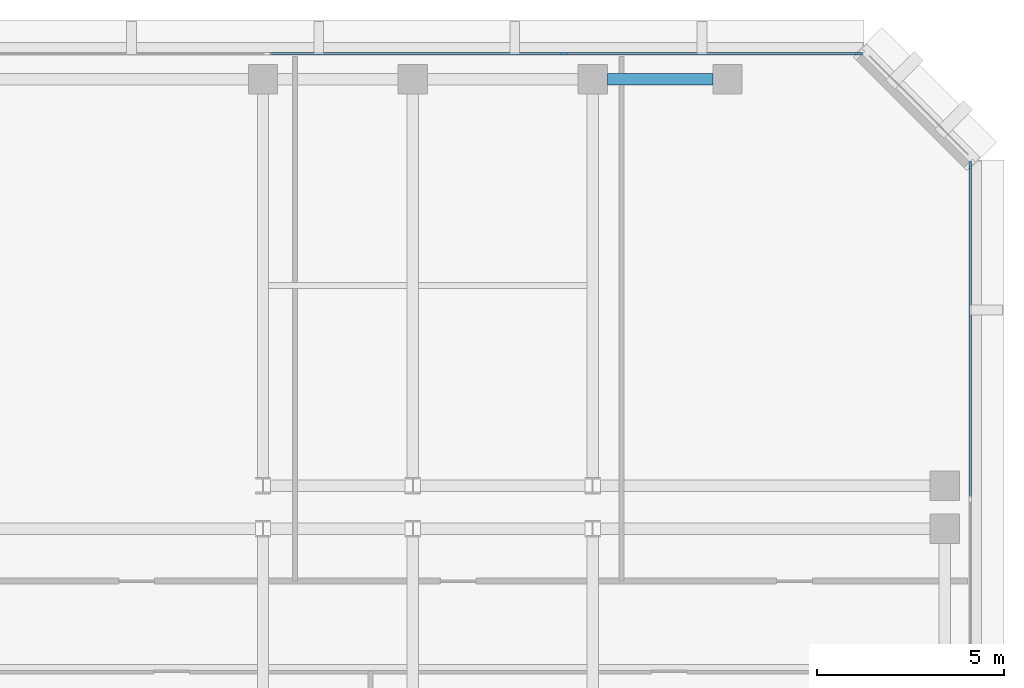
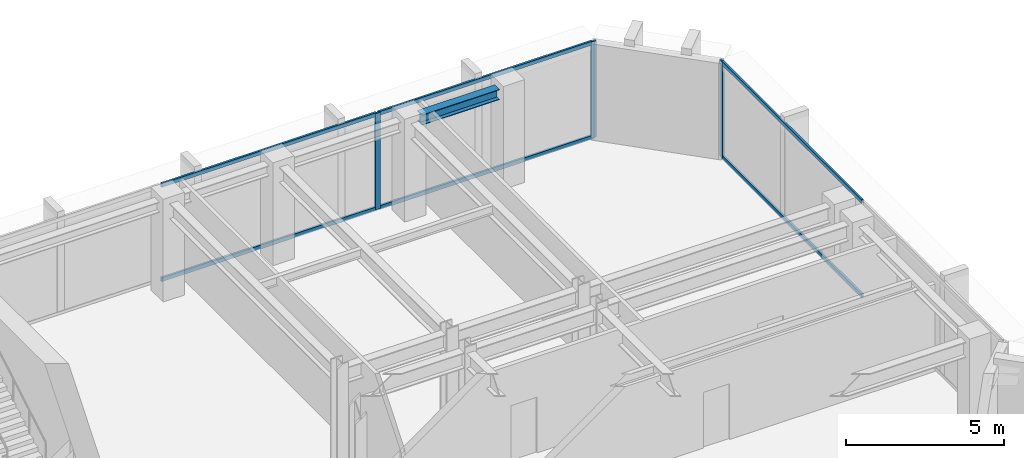
# One storey, part 5 of 12: 9 members, 1 beam, 2 elements without a shape of their own.
"""IFC4 building model written with IfcOpenShell, lengths in metres."""

from ifc_helpers import new_model, si_unit, direction, frame, origin, origin_2d, place, context, subcontext, project, spatial, rectangle, i_section, extrude, material, layer, layer_set, material_profile, profile_set, type_object, element, aggregate, save


model = new_model("IFC4")

# Units and contexts
model_context = context("Model", 3, precision=1e-05, world=origin(), true_north=direction((0.0, 1.0)))
body_context = subcontext(model_context, "Body", "Model", "MODEL_VIEW")
ifc_project = project(units=[si_unit("LENGTHUNIT", "METRE"), si_unit("AREAUNIT", "SQUARE_METRE"), si_unit("VOLUMEUNIT", "CUBIC_METRE"), si_unit("PLANEANGLEUNIT", "RADIAN"), si_unit("MASSUNIT", "GRAM", prefix="KILO")], contexts=[model_context])

# Site, building, storey
site_placement = place(None, origin())
site = spatial("IfcSite", under=ifc_project, at=site_placement, CompositionType="ELEMENT")
building_placement = place(site_placement, origin())
building = spatial("IfcBuilding", under=site, at=building_placement, Name="Kefirva Bronze Tower", CompositionType="ELEMENT")
storey_placement = place(building_placement, frame((0.0, 0.0, 203.280029296875)))
storey = spatial("IfcBuildingStorey", under=building, at=storey_placement, Name="L49", CompositionType="ELEMENT", Elevation=203.280029296875)

# Curtain wall, member
ifc_material_1 = material(Name="Bronze anodised aluminium", Category="aluminium")
ifc_layer = layer(ifc_material_1, 0.179931640625, Name="Bronze anodised aluminium")
ifc_layer_set = layer_set([ifc_layer], Name="Bronze anodised aluminium")
curtain_wall_type = type_object("IfcCurtainWallType", Name="Unitised Bronze Ribbon Curtain Wall Zone 3", PredefinedType="USERDEFINED", material=ifc_layer_set)
curtain_wall_1_placement = place(storey_placement, origin())
curtain_wall_1 = element("IfcCurtainWall", 1, at=curtain_wall_1_placement, inside=storey, type_object=curtain_wall_type, Name="L49 Curtain Wall 3", ObjectType="UNITISED CURTAIN WALL", PredefinedType="USERDEFINED")
ifc_material_profile_1 = material_profile(ifc_material_1, rectangle(XDim=0.074951171875, YDim=0.179931640625, at=origin_2d()), Name="ALU 75x180")
ifc_profile_set_1 = profile_set([ifc_material_profile_1], Name="Bronze anodised aluminium")
member_type_1 = type_object("IfcMemberType", Name="Bronze Mullion 75x180", PredefinedType="MULLION", material=ifc_profile_set_1)
member_1_placement = place(storey_placement, frame((50.080078125, 42.907470703125, 0.0), z_axis=(0.0, 0.0, 1.0), x_axis=(-1.0, 0.0, 0.0)))
member_1 = element("IfcMember", 2, at=member_1_placement, type_object=member_type_1, Name="CW-03 mullion 3", PredefinedType="MULLION", context=body_context, shape_type="SweptSolid", body=[
    extrude(rectangle(XDim=0.074951171875, YDim=0.179931640625, at=origin_2d()), origin(), (0.0, 0.0, 1.0), 3.7099609375),
])

# Curtain wall, members
curtain_wall_2_placement = place(storey_placement, origin())
curtain_wall_2 = element("IfcCurtainWall", 3, at=curtain_wall_2_placement, inside=storey, type_object=curtain_wall_type, Name="L49 Curtain Wall 4", ObjectType="UNITISED CURTAIN WALL", PredefinedType="USERDEFINED")
member_2_placement = place(storey_placement, frame((47.107421875, 45.8798828125, 0.0), z_axis=(0.0, 0.0, 1.0), x_axis=(0.0, -1.0, 0.0)))
member_2 = element("IfcMember", 4, at=member_2_placement, type_object=member_type_1, Name="CW-03 mullion 1", PredefinedType="MULLION", context=body_context, shape_type="SweptSolid", body=[
    extrude(rectangle(XDim=0.074951171875, YDim=0.179931640625, at=origin_2d()), origin(), (0.0, 0.0, 1.0), 3.7099609375),
])
member_3_placement = place(storey_placement, frame((39.231689453125, 45.8798828125, 0.0), z_axis=(0.0, 0.0, 1.0), x_axis=(0.0, -1.0, 0.0)))
member_3 = element("IfcMember", 5, at=member_3_placement, type_object=member_type_1, Name="CW-03 mullion 2", PredefinedType="MULLION", context=body_context, shape_type="SweptSolid", body=[
    extrude(rectangle(XDim=0.074951171875, YDim=0.179931640625, at=origin_2d()), origin(), (0.0, 0.0, 1.0), 3.7099609375),
])

# Member
ifc_material_profile_2 = material_profile(ifc_material_1, rectangle(XDim=0.074951171875, YDim=0.14990234375, at=origin_2d()), Name="ALU 75x150")
ifc_profile_set_2 = profile_set([ifc_material_profile_2], Name="Bronze anodised aluminium")
member_type_2 = type_object("IfcMemberType", Name="Bronze Transom 75x150", PredefinedType="USERDEFINED", material=ifc_profile_set_2)
member_4_placement = place(storey_placement, frame((50.080078125, 34.03759765625, 0.037353515625), z_axis=(0.0, 1.0, 0.0), x_axis=(-1.0, 0.0, 0.0)))
member_4 = element("IfcMember", 6, at=member_4_placement, type_object=member_type_2, Name="CW-03 transom 2.1", ObjectType="TRANSOM", PredefinedType="USERDEFINED", context=body_context, shape_type="SweptSolid", body=[
    extrude(rectangle(XDim=0.074951171875, YDim=0.14990234375, at=origin_2d()), origin(), (0.0, 0.0, 1.0), 8.83251953125),
])

member_5_placement = place(storey_placement, frame((50.080078125, 34.03759765625, 3.67236328125), z_axis=(0.0, 1.0, 0.0), x_axis=(-1.0, 0.0, 0.0)))
member_5 = element("IfcMember", 7, at=member_5_placement, type_object=member_type_2, Name="CW-03 transom 2.2", ObjectType="TRANSOM", PredefinedType="USERDEFINED", context=body_context, shape_type="SweptSolid", body=[
    extrude(rectangle(XDim=0.074951171875, YDim=0.14990234375, at=origin_2d()), origin(), (0.0, 0.0, 1.0), 8.83251953125),
])

aggregate(curtain_wall_1, [member_1, member_4, member_5])

member_6_placement = place(storey_placement, frame((47.070068359375, 45.8798828125, 0.037353515625), z_axis=(-1.0, 0.0, 0.0), x_axis=(0.0, -1.0, 0.0)))
member_6 = element("IfcMember", 8, at=member_6_placement, type_object=member_type_2, Name="CW-03 transom 1.1", ObjectType="TRANSOM", PredefinedType="USERDEFINED", context=body_context, shape_type="SweptSolid", body=[
    extrude(rectangle(XDim=0.074951171875, YDim=0.14990234375, at=origin_2d()), origin(), (0.0, 0.0, 1.0), 7.80078125),
])

member_7_placement = place(storey_placement, frame((47.070068359375, 45.8798828125, 3.67236328125), z_axis=(-1.0, 0.0, 0.0), x_axis=(0.0, -1.0, 0.0)))
member_7 = element("IfcMember", 9, at=member_7_placement, type_object=member_type_2, Name="CW-03 transom 1.2", ObjectType="TRANSOM", PredefinedType="USERDEFINED", context=body_context, shape_type="SweptSolid", body=[
    extrude(rectangle(XDim=0.074951171875, YDim=0.14990234375, at=origin_2d()), origin(), (0.0, 0.0, 1.0), 7.80078125),
])

member_8_placement = place(storey_placement, frame((39.194091796875, 45.8798828125, 0.037353515625), z_axis=(-1.0, 0.0, 0.0), x_axis=(0.0, -1.0, 0.0)))
member_8 = element("IfcMember", 10, at=member_8_placement, type_object=member_type_2, Name="CW-03 transom 2.1", ObjectType="TRANSOM", PredefinedType="USERDEFINED", context=body_context, shape_type="SweptSolid", body=[
    extrude(rectangle(XDim=0.074951171875, YDim=0.14990234375, at=origin_2d()), origin(), (0.0, 0.0, 1.0), 7.83837890625),
])

member_9_placement = place(storey_placement, frame((39.194091796875, 45.8798828125, 3.67236328125), z_axis=(-1.0, 0.0, 0.0), x_axis=(0.0, -1.0, 0.0)))
member_9 = element("IfcMember", 11, at=member_9_placement, type_object=member_type_2, Name="CW-03 transom 2.2", ObjectType="TRANSOM", PredefinedType="USERDEFINED", context=body_context, shape_type="SweptSolid", body=[
    extrude(rectangle(XDim=0.074951171875, YDim=0.14990234375, at=origin_2d()), origin(), (0.0, 0.0, 1.0), 7.83837890625),
])

aggregate(curtain_wall_2, [member_2, member_3, member_6, member_7, member_8, member_9])

# Beam
ifc_material_2 = material(Name="Steel S355", Category="steel")
ifc_material_profile_3 = material_profile(ifc_material_2, i_section(OverallWidth=0.300048828125, OverallDepth=0.39990234375, WebThickness=0.013427734375, FlangeThickness=0.02392578125, at=origin_2d()), Name="HEB 400")
ifc_profile_set_3 = profile_set([ifc_material_profile_3], Name="Steel S355")
beam_type = type_object("IfcBeamType", Name="Steel Spandrel HEB 400 Ext", PredefinedType="SPANDREL", material=ifc_profile_set_3)
beam_placement = place(storey_placement, frame((40.389892578125, 45.199951171875, 3.510009765625), z_axis=(1.0, 0.0, 0.0), x_axis=(0.0, 1.0, 0.0)))
element("IfcBeam", 12, at=beam_placement, inside=storey, type_object=beam_type, Name="L49 BM-L49-EW-40-452", PredefinedType="SPANDREL", context=body_context, shape_type="SweptSolid", body=[
    extrude(i_section(OverallWidth=0.300048828125, OverallDepth=0.39990234375, WebThickness=0.013427734375, FlangeThickness=0.02392578125, at=origin_2d()), origin(), (0.0, 0.0, 1.0), 2.820068359375),
])

save(model, "model.ifc")
